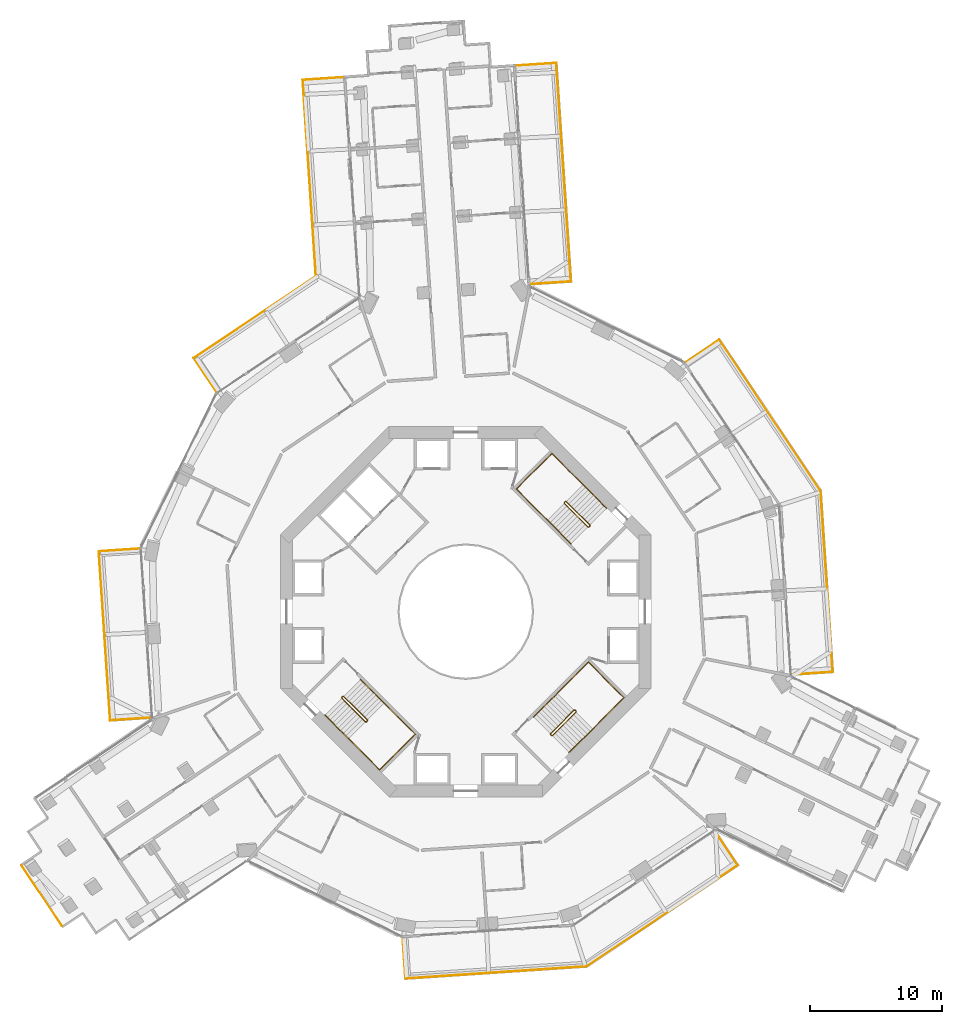
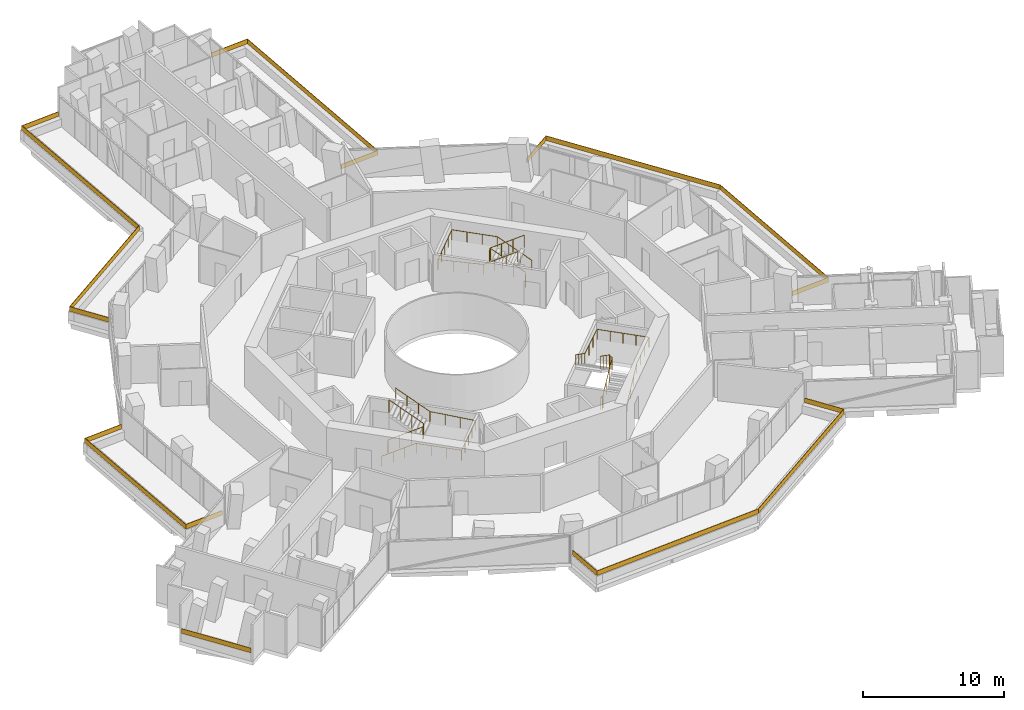
# One storey, part 25 of 25: 12 railings.
"""IFC4 building model written with IfcOpenShell, lengths in metres."""

import ifcopenshell
import ifcopenshell.guid

model = None  # the IFC model being written
_history = None  # IfcOwnerHistory: only IFC2X3 demands one
_inside = {}  # id of a spatial element -> (the spatial element, [elements in it])
_under = {}  # id of a project, library or spatial element -> (it, [spatial elements below it])
_declared = {}  # id of a project -> (the project, [libraries it declares])
_typed = {}  # id of a type object -> (the type object, [elements of that type])
_made_of = {}  # id of a material, layer set ... -> (it, [elements and type objects made of it])


def new_model(schema):
    """Start an empty IFC model of exactly this schema.

    Asked for "IFC4X3", IfcOpenShell would pick the latest addendum, in which some entities
    have other attributes; the version numbers below select the first issue.
    IFC2X3 requires an IfcOwnerHistory on every rooted entity: one is made here for all.
    """
    global model, _history
    if schema == "IFC4X3":
        model = ifcopenshell.file(schema_version=(4, 3, 0, 0))
    else:
        model = ifcopenshell.file(schema=schema)
    _inside.clear()
    _under.clear()
    _declared.clear()
    _typed.clear()
    _made_of.clear()
    _history = None
    if model.schema == "IFC2X3":
        org = make("IfcOrganization", Name="unknown")
        user = make(
            "IfcPersonAndOrganization",
            ThePerson=make("IfcPerson", FamilyName="unknown"),
            TheOrganization=org,
        )
        app = make(
            "IfcApplication",
            ApplicationDeveloper=org,
            Version="unknown",
            ApplicationFullName="unknown",
            ApplicationIdentifier="unknown",
        )
        _history = make(
            "IfcOwnerHistory",
            OwningUser=user,
            OwningApplication=app,
            ChangeAction="ADDED",
            CreationDate=0,
        )
    return model


def make(cls, **values):
    """One entity of the class cls with the attributes given. An attribute that is None is left unset."""
    return model.create_entity(
        cls, **{name: value for name, value in values.items() if value is not None}
    )


def rooted(cls, **values):
    """An entity with a GlobalId (a new one), such as an element, a storey or a relation."""
    return make(cls, GlobalId=ifcopenshell.guid.new(), OwnerHistory=_history, **values)


def si_unit(unit_type, name, prefix=None):
    """IfcSIUnit, for example si_unit("LENGTHUNIT", "METRE", prefix="MILLI")."""
    return make("IfcSIUnit", UnitType=unit_type, Prefix=prefix, Name=name)


def assignment(units):
    """IfcUnitAssignment: the units of a project."""
    return None if units is None else make("IfcUnitAssignment", Units=units)


def point(xyz):
    """IfcCartesianPoint."""
    return None if xyz is None else make("IfcCartesianPoint", Coordinates=xyz)


def direction(xyz):
    """IfcDirection."""
    return None if xyz is None else make("IfcDirection", DirectionRatios=xyz)


def frame(location, z_axis=None, x_axis=None):
    """IfcAxis2Placement3D, a coordinate frame: its origin and axes. An axis left out is left unset."""
    return make(
        "IfcAxis2Placement3D",
        Location=point(location),
        Axis=direction(z_axis),
        RefDirection=direction(x_axis),
    )


def frame_2d(location, x_axis=None):
    """IfcAxis2Placement2D, a coordinate frame in the plane: its origin and x axis."""
    return make(
        "IfcAxis2Placement2D", Location=point(location), RefDirection=direction(x_axis)
    )


def origin():
    """The frame at (0, 0, 0) with its axes left unset."""
    return frame((0.0, 0.0, 0.0))


def origin_2d():
    """The frame at (0, 0) in the plane with its x axis left unset."""
    return frame_2d((0.0, 0.0))


def place(relative_to, where):
    """IfcLocalPlacement: puts the frame where relative to a parent placement (None: the world)."""
    return make(
        "IfcLocalPlacement", PlacementRelTo=relative_to, RelativePlacement=where
    )


def context(
    kind, dimensions, precision=None, world=None, true_north=None, identifier=None
):
    """IfcGeometricRepresentationContext, for example the 3D "Model" context."""
    return make(
        "IfcGeometricRepresentationContext",
        ContextIdentifier=identifier,
        ContextType=kind,
        CoordinateSpaceDimension=dimensions,
        Precision=precision,
        WorldCoordinateSystem=world,
        TrueNorth=true_north,
    )


def subcontext(parent, identifier, kind, view, scale=None):
    """IfcGeometricRepresentationSubContext, for example "Body" below "Model"."""
    return make(
        "IfcGeometricRepresentationSubContext",
        ContextIdentifier=identifier,
        ContextType=kind,
        ParentContext=parent,
        TargetScale=scale,
        TargetView=view,
    )


def project(units=None, contexts=None):
    """IfcProject with its units and contexts."""
    return rooted(
        "IfcProject",
        Name="project",
        RepresentationContexts=contexts,
        UnitsInContext=assignment(units),
    )


def spatial(cls, under=None, at=None, **own):
    """A site, building, storey or space (cls), placed at a placement, below another one or the project."""
    s = rooted(cls, ObjectPlacement=at, **own)
    if under is not None:
        _under.setdefault(under.id(), (under, []))[1].append(s)
    return s


def polyline(points):
    """IfcPolyline through the points."""
    return make("IfcPolyline", Points=[point(p) for p in points])


def profile(cls, at=None, kind="AREA", **sizes):
    """A parametric profile (cls). Its sizes go by their IFC names, for example OverallWidth=200.0."""
    return make(cls, ProfileType=kind, Position=at, **sizes)


def rectangle(**sizes):
    """IfcRectangleProfileDef."""
    return profile("IfcRectangleProfileDef", **sizes)


def circle(**sizes):
    """IfcCircleProfileDef."""
    return profile("IfcCircleProfileDef", **sizes)


def outline(outer, holes=None, kind="AREA"):
    """IfcArbitraryClosedProfileDef: a profile drawn as a closed curve; with holes, ...WithVoids."""
    if holes is None:
        return make("IfcArbitraryClosedProfileDef", ProfileType=kind, OuterCurve=outer)
    return make(
        "IfcArbitraryProfileDefWithVoids",
        ProfileType=kind,
        OuterCurve=outer,
        InnerCurves=holes,
    )


def extrude(swept, where, along, depth):
    """IfcExtrudedAreaSolid: the profile swept, set in the frame where, extruded along a direction by depth."""
    return make(
        "IfcExtrudedAreaSolid",
        SweptArea=swept,
        Position=where,
        ExtrudedDirection=direction(along),
        Depth=depth,
    )


def shape(context_of_items, identifier, shape_type, items):
    """IfcShapeRepresentation: the items that make up one representation, for example the "Body"."""
    return make(
        "IfcShapeRepresentation",
        ContextOfItems=context_of_items,
        RepresentationIdentifier=identifier,
        RepresentationType=shape_type,
        Items=items,
    )


def material(Name=None, Category=None):
    """IfcMaterial."""
    return make("IfcMaterial", Name=Name, Category=Category)


def layer(
    of_material, thickness, ventilated=None, Name=None, Category=None, Priority=None
):
    """IfcMaterialLayer: one layer of a wall or slab, of a material (None: an air gap)."""
    return make(
        "IfcMaterialLayer",
        Material=of_material,
        LayerThickness=thickness,
        IsVentilated=ventilated,
        Name=Name,
        Category=Category,
        Priority=Priority,
    )


def layer_set(layers, Name=None):
    """IfcMaterialLayerSet."""
    return make("IfcMaterialLayerSet", MaterialLayers=layers, LayerSetName=Name)


def made_of(thing, what):
    """Note that an element or type object is made of a material, layer set ...; save() writes the relation."""
    if what is not None:
        _made_of.setdefault(what.id(), (what, []))[1].append(thing)
    return thing


def type_object(cls, material=None, **own):
    """A type object (cls), such as IfcWallType, which elements share."""
    return made_of(rooted(cls, **own), material)


def element(
    cls,
    number,
    at=None,
    inside=None,
    cuts=None,
    type_object=None,
    material=None,
    context=None,
    identifier="Body",
    shape_type=None,
    held_by="IfcProductDefinitionShape",
    body=None,
    shapes=None,
    **own,
):
    """One element of the class cls, such as IfcWall. Its Tag is "e" and its number.

    at: its placement. inside: the storey or other place that contains it. cuts: it is an
    opening in that element (IfcRelVoidsElement). A single representation is given by context,
    identifier, shape_type and body (its items); several are given by shapes. held_by: the class
    of the entity that holds the representations. save() writes the other relations.
    """
    e = rooted(cls, Tag="e%d" % number, ObjectPlacement=at, **own)
    if body is not None:
        shapes = [shape(context, identifier, shape_type, body)]
    if shapes is not None:
        e.Representation = make(held_by, Representations=shapes)
    if inside is not None:
        _inside.setdefault(inside.id(), (inside, []))[1].append(e)
    if cuts is not None:
        rooted(
            "IfcRelVoidsElement", RelatingBuildingElement=cuts, RelatedOpeningElement=e
        )
    if type_object is not None:
        _typed.setdefault(type_object.id(), (type_object, []))[1].append(e)
    return made_of(e, material)


def aggregate(whole, parts):
    """IfcRelAggregates: a whole, such as a stair, and the parts it consists of."""
    return rooted("IfcRelAggregates", RelatingObject=whole, RelatedObjects=parts)


def save(model, path):
    """Write the relations noted so far, then the file.

    IfcRelAggregates (storeys below a building ...), IfcRelContainedInSpatialStructure (elements
    in a storey), IfcRelDefinesByType, IfcRelAssociatesMaterial and IfcRelDeclares: one each for
    every whole, place, type object, material and project.
    """
    for whole, parts in _under.values():
        aggregate(whole, parts)
    for where, things in _inside.values():
        rooted(
            "IfcRelContainedInSpatialStructure",
            RelatedElements=things,
            RelatingStructure=where,
        )
    for kind, things in _typed.values():
        rooted("IfcRelDefinesByType", RelatedObjects=things, RelatingType=kind)
    for what, things in _made_of.values():
        rooted("IfcRelAssociatesMaterial", RelatedObjects=things, RelatingMaterial=what)
    for by, libraries in _declared.values():
        rooted("IfcRelDeclares", RelatingContext=by, RelatedDefinitions=libraries)
    model.write(path)


model = new_model("IFC4")

# Units and contexts
model_context = context("Model", 3, precision=1e-05, world=origin(), true_north=direction((0.0, 1.0)))
body_context = subcontext(model_context, "Body", "Model", "MODEL_VIEW")
ifc_project = project(units=[si_unit("LENGTHUNIT", "METRE"), si_unit("AREAUNIT", "SQUARE_METRE"), si_unit("VOLUMEUNIT", "CUBIC_METRE"), si_unit("PLANEANGLEUNIT", "RADIAN"), si_unit("MASSUNIT", "GRAM", prefix="KILO")], contexts=[model_context])

# Site, building, storey
site_placement = place(None, origin())
site = spatial("IfcSite", under=ifc_project, at=site_placement, CompositionType="ELEMENT")
building_placement = place(site_placement, origin())
building = spatial("IfcBuilding", under=site, at=building_placement, Name="Verdalira Terraces Hotel", CompositionType="ELEMENT")
storey_placement = place(building_placement, frame((0.0, 0.0, 49.5)))
storey = spatial("IfcBuildingStorey", under=building, at=storey_placement, Name="L10", CompositionType="ELEMENT", Elevation=49.5)

# Railings
ifc_material_1 = material(Name="Laminated glass", Category="glass")
ifc_layer = layer(ifc_material_1, 0.0400390625)
ifc_layer_set = layer_set([ifc_layer], Name="Balcony glass guard 400")
railing_type_1 = type_object("IfcRailingType", Name="Balcony glass guard 400", PredefinedType="GUARDRAIL", material=ifc_layer_set)
railing_1_placement = place(storey_placement, frame((0.0, 0.0, 0.699951)))
element("IfcRailing", 1, at=railing_1_placement, inside=storey, type_object=railing_type_1, Name="Balcony glass guard", PredefinedType="GUARDRAIL", context=body_context, shape_type="SweptSolid", body=[
    extrude(outline(polyline([(-12.296875, 40.154541), (-11.302246, 25.336426), (-20.523193, 19.154297), (-18.808594, 16.596924), (-18.841797, 16.574463), (-20.578857, 19.165283), (-11.34375, 25.356934), (-12.339355, 40.191895), (-9.227295, 40.400635), (-9.224609, 40.36084), (-12.296875, 40.154541)])), origin(), (0.0, 0.0, 1.0), 0.400146),
])
railing_2_placement = place(storey_placement, frame((0.0, 0.0, 0.699951)))
element("IfcRailing", 2, at=railing_2_placement, inside=storey, type_object=railing_type_1, Name="Balcony glass guard", PredefinedType="GUARDRAIL", context=body_context, shape_type="SweptSolid", body=[
    extrude(outline(polyline([(-27.704346, 4.534912), (-26.849609, -8.196533), (-23.777588, -7.990234), (-23.774902, -8.030273), (-26.886963, -8.239014), (-27.746826, 4.572021), (-24.634766, 4.781006), (-24.63208, 4.740967), (-27.704346, 4.534912)])), origin(), (0.0, 0.0, 1.0), 0.400146),
])
railing_3_placement = place(storey_placement, frame((0.0, 0.0, 0.699951)))
element("IfcRailing", 3, at=railing_3_placement, inside=storey, type_object=railing_type_1, Name="Balcony glass guard", PredefinedType="GUARDRAIL", context=body_context, shape_type="SweptSolid", body=[
    extrude(outline(polyline([(-4.534912, -27.704346), (9.139648, -26.786377), (20.523193, -19.154297), (18.808594, -16.596924), (18.841797, -16.574463), (20.578857, -19.165283), (9.153076, -26.825684), (-4.572021, -27.746826), (-4.781006, -24.634766), (-4.740967, -24.63208), (-4.534912, -27.704346)])), origin(), (0.0, 0.0, 1.0), 0.400146),
])
railing_4_placement = place(storey_placement, frame((0.0, 0.0, 0.699951)))
element("IfcRailing", 4, at=railing_4_placement, inside=storey, type_object=railing_type_1, Name="Balcony glass guard", PredefinedType="GUARDRAIL", context=body_context, shape_type="SweptSolid", body=[
    extrude(outline(polyline([(27.704346, -4.534912), (26.786377, 9.139648), (19.154297, 20.523193), (16.596924, 18.808594), (16.574463, 18.841797), (19.165283, 20.578857), (26.825684, 9.153076), (27.746826, -4.572021), (24.634766, -4.781006), (24.63208, -4.740967), (27.704346, -4.534912)])), origin(), (0.0, 0.0, 1.0), 0.400146),
])
railing_5_placement = place(storey_placement, frame((0.0, 0.0, 0.699951)))
element("IfcRailing", 5, at=railing_5_placement, inside=storey, type_object=railing_type_1, Name="Balcony glass guard", PredefinedType="GUARDRAIL", context=body_context, shape_type="SweptSolid", body=[
    extrude(outline(polyline([(7.925781, 24.965088), (6.820312, 41.437744), (3.748047, 41.231689), (3.745361, 41.271484), (6.857422, 41.480469), (7.968506, 24.927979), (4.856445, 24.718994), (4.85376, 24.759033), (7.925781, 24.965088)])), origin(), (0.0, 0.0, 1.0), 0.400146),
])
railing_6_placement = place(storey_placement, frame((-32.026123, -21.471924, 0.699951), z_axis=(0.0, 0.0, 1.0), x_axis=(0.556875616, -0.830595899, 0.0)))
element("IfcRailing", 6, at=railing_6_placement, inside=storey, type_object=railing_type_1, Name="Loggia glass guard", PredefinedType="GUARDRAIL", context=body_context, shape_type="SweptSolid", body=[
    extrude(rectangle(XDim=5.5, YDim=0.040039, at=origin_2d()), origin(), (0.0, 0.0, 1.0), 0.399902),
])
ifc_material_2 = material(Name="Stainless steel", Category="steel")
railing_type_2 = type_object("IfcRailingType", Name="Stair guard 1100", PredefinedType="GUARDRAIL", material=ifc_material_2)
railing_7_placement = place(storey_placement, frame((9.369141, 6.469971, 0.0)))
element("IfcRailing", 7, at=railing_7_placement, inside=storey, type_object=railing_type_2, Name="L10 ST1 stair guard 1", PredefinedType="GUARDRAIL", context=body_context, shape_type="SweptSolid", body=[
    extrude(circle(Radius=0.023926, at=origin_2d()), frame((0.0, 0.0, 1.076172), z_axis=(-0.70832698, -0.705884473, 0.0), x_axis=(0.705884473, -0.70832698, 0.0)), (0.0, 0.0, 1.0), 0.099854),
    extrude(circle(Radius=0.023926, at=origin_2d()), frame((-0.070801, -0.070557, 1.076172), z_axis=(0.300162975, 0.599290904, 0.742127078), x_axis=(-0.894118129, 0.447831187, 0.0)), (0.0, 0.0, 1.0), 0.23584),
    extrude(circle(Radius=0.023926, at=origin_2d()), frame((0.0, 0.070801, 1.250977), z_axis=(-0.599637504, 0.599637504, 0.52997144), x_axis=(-0.707106781, -0.707106781, 0.0)), (0.0, 0.0, 1.0), 2.97168),
    extrude(circle(Radius=0.023926, at=origin_2d()), frame((-1.781982, 1.852783, 2.826172), z_axis=(-1.0, 0.0, 0.0), x_axis=(0.0, -1.0, 0.0)), (0.0, 0.0, 1.0), 0.070557),
    extrude(circle(Radius=0.023926, at=origin_2d()), frame((-1.852539, 1.852783, 2.826172), z_axis=(-0.707106781, -0.707106781, 0.0), x_axis=(0.707106781, -0.707106781, 0.0)), (0.0, 0.0, 1.0), 0.100098),
    extrude(circle(Radius=0.023926, at=origin_2d()), frame((-1.92334, 1.781982, 2.826172), z_axis=(0.0, -0.374954687, 0.92704314), x_axis=(1.0, 0.0, 0.0)), (0.0, 0.0, 1.0), 0.188721),
    extrude(circle(Radius=0.023926, at=origin_2d()), frame((-1.92334, 1.711182, 3.000977), z_axis=(0.599667044, -0.599584886, 0.529997548), x_axis=(0.707058338, 0.707155221, 0.0)), (0.0, 0.0, 1.0), 2.97168),
    extrude(circle(Radius=0.020996, at=origin_2d()), origin(), (0.0, 0.0, 1.0), 1.052002),
    extrude(circle(Radius=0.020996, at=origin_2d()), frame((-0.070801, -0.070557, 0.0)), (0.0, 0.0, 1.0), 1.052002),
    extrude(circle(Radius=0.020996, at=origin_2d()), frame((0.0, 0.070801, 0.175049)), (0.0, 0.0, 1.0), 1.052002),
    extrude(circle(Radius=0.020996, at=origin_2d()), frame((-0.593994, 0.664795, 0.699951)), (0.0, 0.0, 1.0), 1.052002),
    extrude(circle(Radius=0.020996, at=origin_2d()), frame((-1.187988, 1.258789, 1.225098)), (0.0, 0.0, 1.0), 1.052002),
    extrude(circle(Radius=0.020996, at=origin_2d()), frame((-1.781982, 1.852783, 1.75)), (0.0, 0.0, 1.0), 1.052002),
    extrude(circle(Radius=0.020996, at=origin_2d()), frame((-1.852539, 1.852783, 1.75)), (0.0, 0.0, 1.0), 1.052002),
    extrude(circle(Radius=0.020996, at=origin_2d()), frame((-1.92334, 1.781982, 1.75)), (0.0, 0.0, 1.0), 1.052002),
    extrude(circle(Radius=0.020996, at=origin_2d()), frame((-1.92334, 1.711182, 1.925049)), (0.0, 0.0, 1.0), 1.052002),
    extrude(circle(Radius=0.020996, at=origin_2d()), frame((-1.329346, 1.117188, 2.449951)), (0.0, 0.0, 1.0), 1.052002),
    extrude(circle(Radius=0.020996, at=origin_2d()), frame((-0.735352, 0.523438, 2.975098)), (0.0, 0.0, 1.0), 1.052002),
    extrude(circle(Radius=0.020996, at=origin_2d()), frame((-0.141357, -0.070557, 3.5)), (0.0, 0.0, 1.0), 1.052002),
])
railing_8_placement = place(storey_placement, frame((-9.369141, -6.469971, 0.0)))
element("IfcRailing", 8, at=railing_8_placement, inside=storey, type_object=railing_type_2, Name="L10 ST2 stair guard 1", PredefinedType="GUARDRAIL", context=body_context, shape_type="SweptSolid", body=[
    extrude(circle(Radius=0.023926, at=origin_2d()), frame((0.0, 0.0, 1.076172), z_axis=(0.70832698, 0.705884473, 0.0), x_axis=(-0.705884473, 0.70832698, 0.0)), (0.0, 0.0, 1.0), 0.099854),
    extrude(circle(Radius=0.023926, at=origin_2d()), frame((0.070801, 0.070557, 1.076172), z_axis=(-0.300162975, -0.599290904, 0.742127078), x_axis=(0.894118129, -0.447831187, 0.0)), (0.0, 0.0, 1.0), 0.23584),
    extrude(circle(Radius=0.023926, at=origin_2d()), frame((0.0, -0.070801, 1.250977), z_axis=(0.599637504, -0.599637504, 0.52997144), x_axis=(0.707106781, 0.707106781, 0.0)), (0.0, 0.0, 1.0), 2.97168),
    extrude(circle(Radius=0.023926, at=origin_2d()), frame((1.781982, -1.852783, 2.826172), z_axis=(1.0, 0.0, 0.0), x_axis=(0.0, 1.0, 0.0)), (0.0, 0.0, 1.0), 0.070557),
    extrude(circle(Radius=0.023926, at=origin_2d()), frame((1.852539, -1.852783, 2.826172), z_axis=(0.707106781, 0.707106781, 0.0), x_axis=(-0.707106781, 0.707106781, 0.0)), (0.0, 0.0, 1.0), 0.100098),
    extrude(circle(Radius=0.023926, at=origin_2d()), frame((1.92334, -1.781982, 2.826172), z_axis=(0.0, 0.374954687, 0.92704314), x_axis=(-1.0, 0.0, 0.0)), (0.0, 0.0, 1.0), 0.188721),
    extrude(circle(Radius=0.023926, at=origin_2d()), frame((1.92334, -1.711182, 3.000977), z_axis=(-0.599667044, 0.599584886, 0.529997548), x_axis=(-0.707058338, -0.707155221, 0.0)), (0.0, 0.0, 1.0), 2.97168),
    extrude(circle(Radius=0.020996, at=origin_2d()), origin(), (0.0, 0.0, 1.0), 1.052002),
    extrude(circle(Radius=0.020996, at=origin_2d()), frame((0.070801, 0.070557, 0.0)), (0.0, 0.0, 1.0), 1.052002),
    extrude(circle(Radius=0.020996, at=origin_2d()), frame((0.0, -0.070801, 0.175049)), (0.0, 0.0, 1.0), 1.052002),
    extrude(circle(Radius=0.020996, at=origin_2d()), frame((0.593994, -0.664795, 0.699951)), (0.0, 0.0, 1.0), 1.052002),
    extrude(circle(Radius=0.020996, at=origin_2d()), frame((1.187988, -1.258789, 1.225098)), (0.0, 0.0, 1.0), 1.052002),
    extrude(circle(Radius=0.020996, at=origin_2d()), frame((1.781982, -1.852783, 1.75)), (0.0, 0.0, 1.0), 1.052002),
    extrude(circle(Radius=0.020996, at=origin_2d()), frame((1.852539, -1.852783, 1.75)), (0.0, 0.0, 1.0), 1.052002),
    extrude(circle(Radius=0.020996, at=origin_2d()), frame((1.92334, -1.781982, 1.75)), (0.0, 0.0, 1.0), 1.052002),
    extrude(circle(Radius=0.020996, at=origin_2d()), frame((1.92334, -1.711182, 1.925049)), (0.0, 0.0, 1.0), 1.052002),
    extrude(circle(Radius=0.020996, at=origin_2d()), frame((1.329346, -1.117188, 2.449951)), (0.0, 0.0, 1.0), 1.052002),
    extrude(circle(Radius=0.020996, at=origin_2d()), frame((0.735352, -0.523438, 2.975098)), (0.0, 0.0, 1.0), 1.052002),
    extrude(circle(Radius=0.020996, at=origin_2d()), frame((0.141357, 0.070557, 3.5)), (0.0, 0.0, 1.0), 1.052002),
])
railing_9_placement = place(storey_placement, frame((6.469971, -9.369141, 0.0)))
element("IfcRailing", 9, at=railing_9_placement, inside=storey, type_object=railing_type_2, Name="L10 ST3 stair guard 1", PredefinedType="GUARDRAIL", context=body_context, shape_type="SweptSolid", body=[
    extrude(circle(Radius=0.023926, at=origin_2d()), frame((0.0, 0.0, 1.076172), z_axis=(-0.705884473, 0.70832698, 0.0), x_axis=(-0.70832698, -0.705884473, 0.0)), (0.0, 0.0, 1.0), 0.099854),
    extrude(circle(Radius=0.023926, at=origin_2d()), frame((-0.070557, 0.070801, 1.076172), z_axis=(0.599290904, -0.300162975, 0.742127078), x_axis=(0.447831187, 0.894118129, 0.0)), (0.0, 0.0, 1.0), 0.23584),
    extrude(circle(Radius=0.023926, at=origin_2d()), frame((0.070801, 0.0, 1.250977), z_axis=(0.599637504, 0.599637504, 0.52997144), x_axis=(-0.707106781, 0.707106781, 0.0)), (0.0, 0.0, 1.0), 2.97168),
    extrude(circle(Radius=0.023926, at=origin_2d()), frame((1.852783, 1.781982, 2.826172), z_axis=(0.0, 1.0, 0.0), x_axis=(-1.0, 0.0, 0.0)), (0.0, 0.0, 1.0), 0.070557),
    extrude(circle(Radius=0.023926, at=origin_2d()), frame((1.852783, 1.852539, 2.826172), z_axis=(-0.707106781, 0.707106781, 0.0), x_axis=(-0.707106781, -0.707106781, 0.0)), (0.0, 0.0, 1.0), 0.100098),
    extrude(circle(Radius=0.023926, at=origin_2d()), frame((1.781982, 1.92334, 2.826172), z_axis=(-0.374954687, 0.0, 0.92704314), x_axis=(0.0, -1.0, 0.0)), (0.0, 0.0, 1.0), 0.188721),
    extrude(circle(Radius=0.023926, at=origin_2d()), frame((1.711182, 1.92334, 3.000977), z_axis=(-0.599584886, -0.599667044, 0.529997548), x_axis=(0.707155221, -0.707058338, 0.0)), (0.0, 0.0, 1.0), 2.97168),
    extrude(circle(Radius=0.020996, at=origin_2d()), origin(), (0.0, 0.0, 1.0), 1.052002),
    extrude(circle(Radius=0.020996, at=origin_2d()), frame((-0.070557, 0.070801, 0.0)), (0.0, 0.0, 1.0), 1.052002),
    extrude(circle(Radius=0.020996, at=origin_2d()), frame((0.070801, 0.0, 0.175049)), (0.0, 0.0, 1.0), 1.052002),
    extrude(circle(Radius=0.020996, at=origin_2d()), frame((0.664795, 0.593994, 0.699951)), (0.0, 0.0, 1.0), 1.052002),
    extrude(circle(Radius=0.020996, at=origin_2d()), frame((1.258789, 1.187988, 1.225098)), (0.0, 0.0, 1.0), 1.052002),
    extrude(circle(Radius=0.020996, at=origin_2d()), frame((1.852783, 1.781982, 1.75)), (0.0, 0.0, 1.0), 1.052002),
    extrude(circle(Radius=0.020996, at=origin_2d()), frame((1.852783, 1.852539, 1.75)), (0.0, 0.0, 1.0), 1.052002),
    extrude(circle(Radius=0.020996, at=origin_2d()), frame((1.781982, 1.92334, 1.75)), (0.0, 0.0, 1.0), 1.052002),
    extrude(circle(Radius=0.020996, at=origin_2d()), frame((1.711182, 1.92334, 1.925049)), (0.0, 0.0, 1.0), 1.052002),
    extrude(circle(Radius=0.020996, at=origin_2d()), frame((1.117188, 1.329346, 2.449951)), (0.0, 0.0, 1.0), 1.052002),
    extrude(circle(Radius=0.020996, at=origin_2d()), frame((0.523438, 0.735352, 2.975098)), (0.0, 0.0, 1.0), 1.052002),
    extrude(circle(Radius=0.020996, at=origin_2d()), frame((-0.070557, 0.141357, 3.5)), (0.0, 0.0, 1.0), 1.052002),
])
ifc_material_3 = material(Name="Stainless steel", Category="steel")
railing_type_3 = type_object("IfcRailingType", Name="Stair handrail 900", PredefinedType="HANDRAIL", material=ifc_material_3)
railing_10_placement = place(storey_placement, frame((10.641846, 7.813477, 0.175049)))
element("IfcRailing", 10, at=railing_10_placement, inside=storey, type_object=railing_type_3, Name="L10 ST1 stair handrail 1", PredefinedType="HANDRAIL", context=body_context, shape_type="SweptSolid", body=[
    extrude(circle(Radius=0.023926, at=origin_2d()), frame((0.0, 0.0, 0.875977), z_axis=(-0.599584886, 0.599667044, 0.529997548), x_axis=(-0.707155221, -0.707058338, 0.0)), (0.0, 0.0, 1.0), 2.97168),
    extrude(circle(Radius=0.023926, at=origin_2d()), frame((-1.781738, 1.781982, 2.450684), z_axis=(-0.707106781, 0.707106781, 0.0), x_axis=(-0.707106781, -0.707106781, 0.0)), (0.0, 0.0, 1.0), 3.330078),
    extrude(circle(Radius=0.023926, at=origin_2d()), frame((-4.136475, 4.136719, 2.450684), z_axis=(-0.707106781, -0.707106781, 0.0), x_axis=(0.707106781, -0.707106781, 0.0)), (0.0, 0.0, 1.0), 3.800049),
    extrude(circle(Radius=0.023926, at=origin_2d()), frame((-6.823486, 1.449707, 2.450684), z_axis=(0.706131881, -0.706131881, 0.052493163), x_axis=(0.707106781, 0.707106781, 0.0)), (0.0, 0.0, 1.0), 3.334717),
    extrude(circle(Radius=0.023926, at=origin_2d()), frame((-4.46875, -0.905029, 2.625977), z_axis=(0.599584886, -0.599667044, 0.529997548), x_axis=(0.707155221, 0.707058338, 0.0)), (0.0, 0.0, 1.0), 2.97168),
    extrude(circle(Radius=0.020996, at=origin_2d()), origin(), (0.0, 0.0, 1.0), 0.851807),
    extrude(circle(Radius=0.020996, at=origin_2d()), frame((-0.593994, 0.593994, 0.524902)), (0.0, 0.0, 1.0), 0.851807),
    extrude(circle(Radius=0.020996, at=origin_2d()), frame((-1.187744, 1.187988, 1.050049)), (0.0, 0.0, 1.0), 0.851807),
    extrude(circle(Radius=0.020996, at=origin_2d()), frame((-1.781738, 1.781982, 1.574951)), (0.0, 0.0, 1.0), 0.851807),
    extrude(circle(Radius=0.020996, at=origin_2d()), frame((-2.56665, 2.566895, 1.574951)), (0.0, 0.0, 1.0), 0.851807),
    extrude(circle(Radius=0.020996, at=origin_2d()), frame((-3.351562, 3.351807, 1.574951)), (0.0, 0.0, 1.0), 0.851807),
    extrude(circle(Radius=0.020996, at=origin_2d()), frame((-4.136475, 4.136719, 1.574951)), (0.0, 0.0, 1.0), 0.851807),
    extrude(circle(Radius=0.020996, at=origin_2d()), frame((-4.808105, 3.464844, 1.574951)), (0.0, 0.0, 1.0), 0.851807),
    extrude(circle(Radius=0.020996, at=origin_2d()), frame((-5.47998, 2.793213, 1.574951)), (0.0, 0.0, 1.0), 0.851807),
    extrude(circle(Radius=0.020996, at=origin_2d()), frame((-6.151855, 2.121582, 1.574951)), (0.0, 0.0, 1.0), 0.851807),
    extrude(circle(Radius=0.020996, at=origin_2d()), frame((-6.823486, 1.449707, 1.574951)), (0.0, 0.0, 1.0), 0.851807),
    extrude(circle(Radius=0.020996, at=origin_2d()), frame((-6.038574, 0.664795, 1.633301)), (0.0, 0.0, 1.0), 0.851807),
    extrude(circle(Radius=0.020996, at=origin_2d()), frame((-5.253662, -0.120117, 1.69165)), (0.0, 0.0, 1.0), 0.851807),
    extrude(circle(Radius=0.020996, at=origin_2d()), frame((-4.46875, -0.905029, 1.75)), (0.0, 0.0, 1.0), 0.851807),
    extrude(circle(Radius=0.020996, at=origin_2d()), frame((-3.874756, -1.499023, 2.274902)), (0.0, 0.0, 1.0), 0.851807),
    extrude(circle(Radius=0.020996, at=origin_2d()), frame((-3.281006, -2.093018, 2.800049)), (0.0, 0.0, 1.0), 0.851807),
    extrude(circle(Radius=0.020996, at=origin_2d()), frame((-2.687012, -2.687012, 3.324951)), (0.0, 0.0, 1.0), 0.851807),
])
railing_11_placement = place(storey_placement, frame((-10.641846, -7.813477, 0.175049)))
element("IfcRailing", 11, at=railing_11_placement, inside=storey, type_object=railing_type_3, Name="L10 ST2 stair handrail 1", PredefinedType="HANDRAIL", context=body_context, shape_type="SweptSolid", body=[
    extrude(circle(Radius=0.023926, at=origin_2d()), frame((0.0, 0.0, 0.875977), z_axis=(0.599584886, -0.599667044, 0.529997548), x_axis=(0.707155221, 0.707058338, 0.0)), (0.0, 0.0, 1.0), 2.97168),
    extrude(circle(Radius=0.023926, at=origin_2d()), frame((1.781738, -1.781982, 2.450684), z_axis=(0.707106781, -0.707106781, 0.0), x_axis=(0.707106781, 0.707106781, 0.0)), (0.0, 0.0, 1.0), 3.330078),
    extrude(circle(Radius=0.023926, at=origin_2d()), frame((4.136475, -4.136719, 2.450684), z_axis=(0.707106781, 0.707106781, 0.0), x_axis=(-0.707106781, 0.707106781, 0.0)), (0.0, 0.0, 1.0), 3.800049),
    extrude(circle(Radius=0.023926, at=origin_2d()), frame((6.823486, -1.449707, 2.450684), z_axis=(-0.706131881, 0.706131881, 0.052493163), x_axis=(-0.707106781, -0.707106781, 0.0)), (0.0, 0.0, 1.0), 3.334717),
    extrude(circle(Radius=0.023926, at=origin_2d()), frame((4.46875, 0.905029, 2.625977), z_axis=(-0.599584886, 0.599667044, 0.529997548), x_axis=(-0.707155221, -0.707058338, 0.0)), (0.0, 0.0, 1.0), 2.97168),
    extrude(circle(Radius=0.020996, at=origin_2d()), origin(), (0.0, 0.0, 1.0), 0.851807),
    extrude(circle(Radius=0.020996, at=origin_2d()), frame((0.593994, -0.593994, 0.524902)), (0.0, 0.0, 1.0), 0.851807),
    extrude(circle(Radius=0.020996, at=origin_2d()), frame((1.187744, -1.187988, 1.050049)), (0.0, 0.0, 1.0), 0.851807),
    extrude(circle(Radius=0.020996, at=origin_2d()), frame((1.781738, -1.781982, 1.574951)), (0.0, 0.0, 1.0), 0.851807),
    extrude(circle(Radius=0.020996, at=origin_2d()), frame((2.56665, -2.566895, 1.574951)), (0.0, 0.0, 1.0), 0.851807),
    extrude(circle(Radius=0.020996, at=origin_2d()), frame((3.351562, -3.351807, 1.574951)), (0.0, 0.0, 1.0), 0.851807),
    extrude(circle(Radius=0.020996, at=origin_2d()), frame((4.136475, -4.136719, 1.574951)), (0.0, 0.0, 1.0), 0.851807),
    extrude(circle(Radius=0.020996, at=origin_2d()), frame((4.808105, -3.464844, 1.574951)), (0.0, 0.0, 1.0), 0.851807),
    extrude(circle(Radius=0.020996, at=origin_2d()), frame((5.47998, -2.793213, 1.574951)), (0.0, 0.0, 1.0), 0.851807),
    extrude(circle(Radius=0.020996, at=origin_2d()), frame((6.151855, -2.121582, 1.574951)), (0.0, 0.0, 1.0), 0.851807),
    extrude(circle(Radius=0.020996, at=origin_2d()), frame((6.823486, -1.449707, 1.574951)), (0.0, 0.0, 1.0), 0.851807),
    extrude(circle(Radius=0.020996, at=origin_2d()), frame((6.038574, -0.664795, 1.633301)), (0.0, 0.0, 1.0), 0.851807),
    extrude(circle(Radius=0.020996, at=origin_2d()), frame((5.253662, 0.120117, 1.69165)), (0.0, 0.0, 1.0), 0.851807),
    extrude(circle(Radius=0.020996, at=origin_2d()), frame((4.46875, 0.905029, 1.75)), (0.0, 0.0, 1.0), 0.851807),
    extrude(circle(Radius=0.020996, at=origin_2d()), frame((3.874756, 1.499023, 2.274902)), (0.0, 0.0, 1.0), 0.851807),
    extrude(circle(Radius=0.020996, at=origin_2d()), frame((3.281006, 2.093018, 2.800049)), (0.0, 0.0, 1.0), 0.851807),
    extrude(circle(Radius=0.020996, at=origin_2d()), frame((2.687012, 2.687012, 3.324951)), (0.0, 0.0, 1.0), 0.851807),
])
railing_12_placement = place(storey_placement, frame((7.813477, -10.641846, 0.175049)))
element("IfcRailing", 12, at=railing_12_placement, inside=storey, type_object=railing_type_3, Name="L10 ST3 stair handrail 1", PredefinedType="HANDRAIL", context=body_context, shape_type="SweptSolid", body=[
    extrude(circle(Radius=0.023926, at=origin_2d()), frame((0.0, 0.0, 0.875977), z_axis=(0.599667044, 0.599584886, 0.529997548), x_axis=(-0.707058338, 0.707155221, 0.0)), (0.0, 0.0, 1.0), 2.97168),
    extrude(circle(Radius=0.023926, at=origin_2d()), frame((1.781982, 1.781738, 2.450684), z_axis=(0.707106781, 0.707106781, 0.0), x_axis=(-0.707106781, 0.707106781, 0.0)), (0.0, 0.0, 1.0), 3.330078),
    extrude(circle(Radius=0.023926, at=origin_2d()), frame((4.136719, 4.136475, 2.450684), z_axis=(-0.707106781, 0.707106781, 0.0), x_axis=(-0.707106781, -0.707106781, 0.0)), (0.0, 0.0, 1.0), 3.800049),
    extrude(circle(Radius=0.023926, at=origin_2d()), frame((1.449707, 6.823486, 2.450684), z_axis=(-0.706131881, -0.706131881, 0.052493163), x_axis=(0.707106781, -0.707106781, 0.0)), (0.0, 0.0, 1.0), 3.334717),
    extrude(circle(Radius=0.023926, at=origin_2d()), frame((-0.905029, 4.46875, 2.625977), z_axis=(-0.599667044, -0.599584886, 0.529997548), x_axis=(0.707058338, -0.707155221, 0.0)), (0.0, 0.0, 1.0), 2.97168),
    extrude(circle(Radius=0.020996, at=origin_2d()), origin(), (0.0, 0.0, 1.0), 0.851807),
    extrude(circle(Radius=0.020996, at=origin_2d()), frame((0.593994, 0.593994, 0.524902)), (0.0, 0.0, 1.0), 0.851807),
    extrude(circle(Radius=0.020996, at=origin_2d()), frame((1.187988, 1.187744, 1.050049)), (0.0, 0.0, 1.0), 0.851807),
    extrude(circle(Radius=0.020996, at=origin_2d()), frame((1.781982, 1.781738, 1.574951)), (0.0, 0.0, 1.0), 0.851807),
    extrude(circle(Radius=0.020996, at=origin_2d()), frame((2.566895, 2.56665, 1.574951)), (0.0, 0.0, 1.0), 0.851807),
    extrude(circle(Radius=0.020996, at=origin_2d()), frame((3.351807, 3.351562, 1.574951)), (0.0, 0.0, 1.0), 0.851807),
    extrude(circle(Radius=0.020996, at=origin_2d()), frame((4.136719, 4.136475, 1.574951)), (0.0, 0.0, 1.0), 0.851807),
    extrude(circle(Radius=0.020996, at=origin_2d()), frame((3.464844, 4.808105, 1.574951)), (0.0, 0.0, 1.0), 0.851807),
    extrude(circle(Radius=0.020996, at=origin_2d()), frame((2.793213, 5.47998, 1.574951)), (0.0, 0.0, 1.0), 0.851807),
    extrude(circle(Radius=0.020996, at=origin_2d()), frame((2.121582, 6.151855, 1.574951)), (0.0, 0.0, 1.0), 0.851807),
    extrude(circle(Radius=0.020996, at=origin_2d()), frame((1.449707, 6.823486, 1.574951)), (0.0, 0.0, 1.0), 0.851807),
    extrude(circle(Radius=0.020996, at=origin_2d()), frame((0.664795, 6.038574, 1.633301)), (0.0, 0.0, 1.0), 0.851807),
    extrude(circle(Radius=0.020996, at=origin_2d()), frame((-0.120117, 5.253662, 1.69165)), (0.0, 0.0, 1.0), 0.851807),
    extrude(circle(Radius=0.020996, at=origin_2d()), frame((-0.905029, 4.46875, 1.75)), (0.0, 0.0, 1.0), 0.851807),
    extrude(circle(Radius=0.020996, at=origin_2d()), frame((-1.499023, 3.874756, 2.274902)), (0.0, 0.0, 1.0), 0.851807),
    extrude(circle(Radius=0.020996, at=origin_2d()), frame((-2.093018, 3.281006, 2.800049)), (0.0, 0.0, 1.0), 0.851807),
    extrude(circle(Radius=0.020996, at=origin_2d()), frame((-2.687012, 2.687012, 3.324951)), (0.0, 0.0, 1.0), 0.851807),
])

save(model, "model.ifc")
